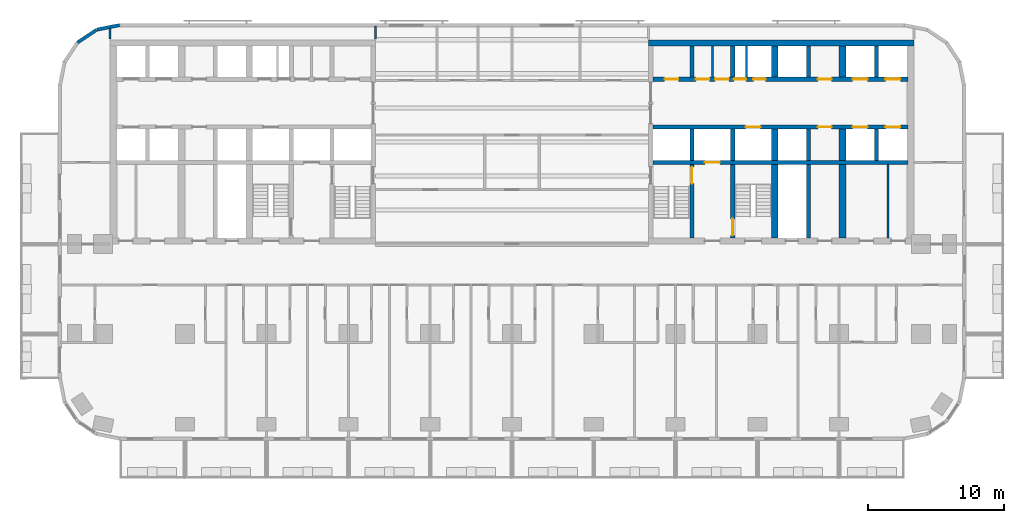
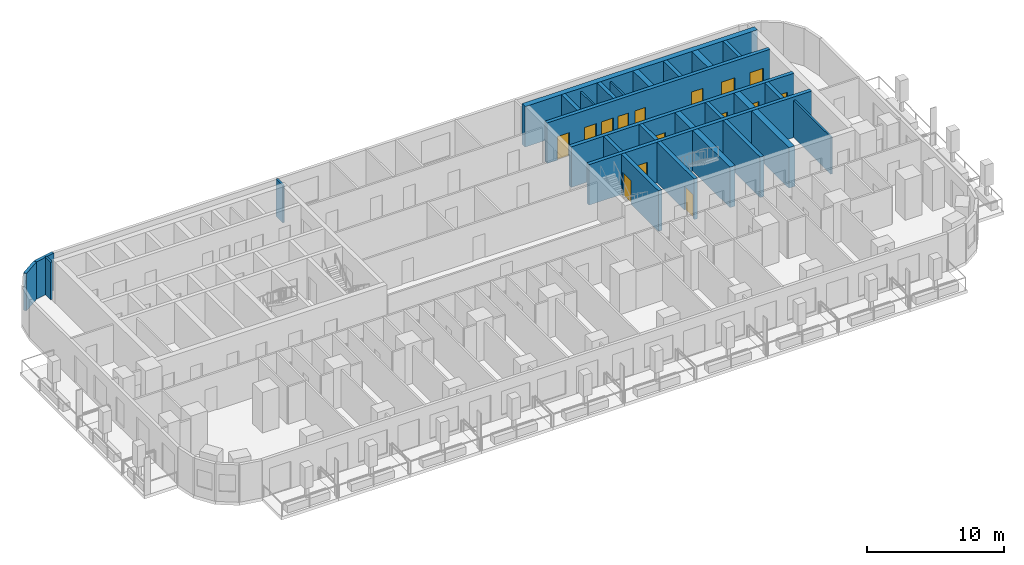
# One storey, part 7 of 14: 28 walls, 15 doors, 15 openings.
"""IFC4 building model written with IfcOpenShell, lengths in metres."""

from ifc_helpers import new_model, si_unit, direction, frame, frame_2d, origin, place, context, subcontext, project, spatial, rectangle, extrude, material, layer, layer_set, type_object, element, fill, save


model = new_model("IFC4")

# Units and contexts
model_context = context("Model", 3, precision=1e-05, world=origin(), true_north=direction((0.0, 1.0)))
body_context = subcontext(model_context, "Body", "Model", "MODEL_VIEW")
ifc_project = project(units=[si_unit("LENGTHUNIT", "METRE"), si_unit("AREAUNIT", "SQUARE_METRE"), si_unit("VOLUMEUNIT", "CUBIC_METRE"), si_unit("PLANEANGLEUNIT", "RADIAN"), si_unit("MASSUNIT", "GRAM", prefix="KILO")], contexts=[model_context])

# Site, building, storey
site_placement = place(None, origin())
site = spatial("IfcSite", under=ifc_project, at=site_placement, CompositionType="ELEMENT")
building_placement = place(site_placement, origin())
building = spatial("IfcBuilding", under=site, at=building_placement, Name="Torana Hotel and Residences", CompositionType="ELEMENT")
storey_placement = place(building_placement, frame((0.0, 0.0, 38.39990234375)))
storey = spatial("IfcBuildingStorey", under=building, at=storey_placement, Name="L08", CompositionType="ELEMENT", Elevation=38.39990234375)

# Wall, openings, doors
ifc_material_1 = material(Name="Concrete C80/95", Category="concrete")
ifc_layer_1 = layer(ifc_material_1, 0.300048828125)
ifc_layer_set_1 = layer_set([ifc_layer_1], Name="CORE WALL 300 C80/95")
wall_type_1 = type_object("IfcWallType", Name="CORE WALL 300 C80/95", PredefinedType="SHEAR", material=ifc_layer_set_1)
wall_1_placement = place(storey_placement, frame((10.35009765625, -2.89990234375, 0.0), z_axis=(0.0, 0.0, 1.0), x_axis=(1.0, 0.0, 0.0)))
wall_1 = element("IfcWall", 1, at=wall_1_placement, inside=storey, type_object=wall_type_1, Name="Core wall E row-N", PredefinedType="SHEAR", context=body_context, shape_type="SweptSolid", body=[
    extrude(rectangle(XDim=18.699951171875, YDim=0.300048828125, at=frame_2d((9.35009765625, 0.0))), origin(), (0.0, 0.0, 1.0), 3.60009765625),
])
opening_1_placement = place(wall_1_placement, frame((14.64990234375, 0.0, 0.0)))
opening_1 = element("IfcOpeningElement", 2, at=opening_1_placement, cuts=wall_1, Name="Opening LD", PredefinedType="OPENING", context=body_context, shape_type="SweptSolid", body=[
    extrude(rectangle(XDim=1.10009765625, YDim=2.10009765625, at=frame_2d((0.550048828125, 1.050048828125))), frame((0.0, 0.159912109375, 0.0), z_axis=(0.0, -1.0, 0.0), x_axis=(1.0, 0.0, 0.0)), (0.0, 0.0, 1.0), 0.320068359375),
])
opening_2_placement = place(wall_1_placement, frame((17.050048828125, 0.0, 0.0)))
opening_2 = element("IfcOpeningElement", 3, at=opening_2_placement, cuts=wall_1, Name="Opening LD", PredefinedType="OPENING", context=body_context, shape_type="SweptSolid", body=[
    extrude(rectangle(XDim=1.10009765625, YDim=2.10009765625, at=frame_2d((0.550048828125, 1.050048828125))), frame((0.0, 0.159912109375, 0.0), z_axis=(0.0, -1.0, 0.0), x_axis=(1.0, 0.0, 0.0)), (0.0, 0.0, 1.0), 0.320068359375),
])
opening_3_placement = place(wall_1_placement, frame((5.9375, 0.0, 0.0)))
opening_3 = element("IfcOpeningElement", 4, at=opening_3_placement, cuts=wall_1, Name="Opening L08-28", PredefinedType="OPENING", context=body_context, shape_type="SweptSolid", body=[
    extrude(rectangle(XDim=0.89990234375, YDim=2.10009765625, at=frame_2d((0.449951171875, 1.050048828125))), frame((0.0, 0.159912109375, 0.0), z_axis=(0.0, -1.0, 0.0), x_axis=(1.0, 0.0, 0.0)), (0.0, 0.0, 1.0), 0.320068359375),
])
opening_4_placement = place(wall_1_placement, frame((7.362548828125, 0.0, 0.0)))
opening_4 = element("IfcOpeningElement", 5, at=opening_4_placement, cuts=wall_1, Name="Opening L08-29", PredefinedType="OPENING", context=body_context, shape_type="SweptSolid", body=[
    extrude(rectangle(XDim=0.89990234375, YDim=2.10009765625, at=frame_2d((0.449951171875, 1.050048828125))), frame((0.0, 0.159912109375, 0.0), z_axis=(0.0, -1.0, 0.0), x_axis=(1.0, 0.0, 0.0)), (0.0, 0.0, 1.0), 0.320068359375),
])
opening_5_placement = place(wall_1_placement, frame((0.85009765625, 0.0, 0.0)))
opening_5 = element("IfcOpeningElement", 6, at=opening_5_placement, cuts=wall_1, Name="Opening L08-30", PredefinedType="OPENING", context=body_context, shape_type="SweptSolid", body=[
    extrude(rectangle(XDim=1.0, YDim=2.10009765625, at=frame_2d((0.5, 1.050048828125))), frame((0.0, 0.159912109375, 0.0), z_axis=(0.0, -1.0, 0.0), x_axis=(1.0, 0.0, 0.0)), (0.0, 0.0, 1.0), 0.320068359375),
])
opening_6_placement = place(wall_1_placement, frame((3.137451171875, 0.0, 0.0)))
opening_6 = element("IfcOpeningElement", 7, at=opening_6_placement, cuts=wall_1, Name="Opening L08-31", PredefinedType="OPENING", context=body_context, shape_type="SweptSolid", body=[
    extrude(rectangle(XDim=1.0, YDim=2.10009765625, at=frame_2d((0.5, 1.050048828125))), frame((0.0, 0.159912109375, 0.0), z_axis=(0.0, -1.0, 0.0), x_axis=(1.0, 0.0, 0.0)), (0.0, 0.0, 1.0), 0.320068359375),
])
opening_7_placement = place(wall_1_placement, frame((4.5625, 0.0, 0.0)))
opening_7 = element("IfcOpeningElement", 8, at=opening_7_placement, cuts=wall_1, Name="Opening L08-32", PredefinedType="OPENING", context=body_context, shape_type="SweptSolid", body=[
    extrude(rectangle(XDim=1.0, YDim=2.10009765625, at=frame_2d((0.5, 1.050048828125))), frame((0.0, 0.159912109375, 0.0), z_axis=(0.0, -1.0, 0.0), x_axis=(1.0, 0.0, 0.0)), (0.0, 0.0, 1.0), 0.320068359375),
])
opening_8_placement = place(wall_1_placement, frame((12.10009765625, 0.0, 0.0)))
opening_8 = element("IfcOpeningElement", 9, at=opening_8_placement, cuts=wall_1, Name="Opening L08-33", PredefinedType="OPENING", context=body_context, shape_type="SweptSolid", body=[
    extrude(rectangle(XDim=1.0, YDim=2.10009765625, at=frame_2d((0.5, 1.050048828125))), frame((0.0, 0.159912109375, 0.0), z_axis=(0.0, -1.0, 0.0), x_axis=(1.0, 0.0, 0.0)), (0.0, 0.0, 1.0), 0.320068359375),
])
ifc_material_2 = material(Name="Steel S235", Category="steel")
door_type_1 = type_object("IfcDoorType", Name="CORE ROOM FIRE DOOR D14 1000x2100", OperationType="SINGLE_SWING_LEFT", PredefinedType="DOOR", material=ifc_material_2)
door_1_placement = place(opening_5_placement, origin())
door_1 = element("IfcDoor", 10, at=door_1_placement, inside=storey, type_object=door_type_1, Name="N0 door L08", OperationType="SINGLE_SWING_RIGHT", OverallHeight=2.10009765625, OverallWidth=1.0, PredefinedType="DOOR", context=body_context, shape_type="SweptSolid", body=[
    extrude(rectangle(XDim=1.0, YDim=2.10009765625, at=frame_2d((0.5, 1.050048828125))), frame((0.0, 0.02490234375, 0.0), z_axis=(0.0, -1.0, 0.0), x_axis=(1.0, 0.0, 0.0)), (0.0, 0.0, 1.0), 0.050048828125),
])
fill(opening_5, door_1)
door_2_placement = place(opening_6_placement, origin())
door_2 = element("IfcDoor", 11, at=door_2_placement, inside=storey, type_object=door_type_1, Name="N1A door L08", OperationType="SINGLE_SWING_RIGHT", OverallHeight=2.10009765625, OverallWidth=1.0, PredefinedType="DOOR", context=body_context, shape_type="SweptSolid", body=[
    extrude(rectangle(XDim=1.0, YDim=2.10009765625, at=frame_2d((0.5, 1.050048828125))), frame((0.0, 0.02490234375, 0.0), z_axis=(0.0, -1.0, 0.0), x_axis=(1.0, 0.0, 0.0)), (0.0, 0.0, 1.0), 0.050048828125),
])
fill(opening_6, door_2)
door_3_placement = place(opening_7_placement, origin())
door_3 = element("IfcDoor", 12, at=door_3_placement, inside=storey, type_object=door_type_1, Name="N1B door L08", OperationType="SINGLE_SWING_RIGHT", OverallHeight=2.10009765625, OverallWidth=1.0, PredefinedType="DOOR", context=body_context, shape_type="SweptSolid", body=[
    extrude(rectangle(XDim=1.0, YDim=2.10009765625, at=frame_2d((0.5, 1.050048828125))), frame((0.0, 0.02490234375, 0.0), z_axis=(0.0, -1.0, 0.0), x_axis=(1.0, 0.0, 0.0)), (0.0, 0.0, 1.0), 0.050048828125),
])
fill(opening_7, door_3)
door_4_placement = place(opening_8_placement, origin())
door_4 = element("IfcDoor", 13, at=door_4_placement, inside=storey, type_object=door_type_1, Name="Free-M3 door L08", OperationType="SINGLE_SWING_RIGHT", OverallHeight=2.10009765625, OverallWidth=1.0, PredefinedType="DOOR", context=body_context, shape_type="SweptSolid", body=[
    extrude(rectangle(XDim=1.0, YDim=2.10009765625, at=frame_2d((0.5, 1.050048828125))), frame((0.0, 0.02490234375, 0.0), z_axis=(0.0, -1.0, 0.0), x_axis=(1.0, 0.0, 0.0)), (0.0, 0.0, 1.0), 0.050048828125),
])
fill(opening_8, door_4)
ifc_material_3 = material(Name="Stainless steel 316", Category="steel")
door_type_2 = type_object("IfcDoorType", Name="LIFT LANDING DOOR LD 1100x2100", OperationType="DOUBLE_DOOR_SLIDING", PredefinedType="USERDEFINED", material=ifc_material_3)
door_5_placement = place(opening_1_placement, origin())
door_5 = element("IfcDoor", 14, at=door_5_placement, inside=storey, type_object=door_type_2, Name="Lift landing door L5 L08", ObjectType="LIFT LANDING DOOR", OperationType="DOUBLE_DOOR_SLIDING", OverallHeight=2.10009765625, OverallWidth=1.10009765625, PredefinedType="USERDEFINED", context=body_context, shape_type="SweptSolid", body=[
    extrude(rectangle(XDim=1.10009765625, YDim=2.10009765625, at=frame_2d((0.550048828125, 1.050048828125))), frame((0.0, 0.02490234375, 0.0), z_axis=(0.0, -1.0, 0.0), x_axis=(1.0, 0.0, 0.0)), (0.0, 0.0, 1.0), 0.050048828125),
])
fill(opening_1, door_5)
door_6_placement = place(opening_2_placement, origin())
door_6 = element("IfcDoor", 15, at=door_6_placement, inside=storey, type_object=door_type_2, Name="Lift landing door L6 L08", ObjectType="LIFT LANDING DOOR", OperationType="DOUBLE_DOOR_SLIDING", OverallHeight=2.10009765625, OverallWidth=1.10009765625, PredefinedType="USERDEFINED", context=body_context, shape_type="SweptSolid", body=[
    extrude(rectangle(XDim=1.10009765625, YDim=2.10009765625, at=frame_2d((0.550048828125, 1.050048828125))), frame((0.0, 0.02490234375, 0.0), z_axis=(0.0, -1.0, 0.0), x_axis=(1.0, 0.0, 0.0)), (0.0, 0.0, 1.0), 0.050048828125),
])
fill(opening_2, door_6)
ifc_material_4 = material(Name="Steel S235", Category="steel")
door_type_3 = type_object("IfcDoorType", Name="RISER ACCESS DOOR D5 900x2100", OperationType="SINGLE_SWING_LEFT", PredefinedType="DOOR", material=ifc_material_4)
door_7_placement = place(opening_3_placement, origin())
door_7 = element("IfcDoor", 16, at=door_7_placement, inside=storey, type_object=door_type_3, Name="N2A door L08", OperationType="SINGLE_SWING_RIGHT", OverallHeight=2.10009765625, OverallWidth=0.89990234375, PredefinedType="DOOR", context=body_context, shape_type="SweptSolid", body=[
    extrude(rectangle(XDim=0.89990234375, YDim=2.10009765625, at=frame_2d((0.449951171875, 1.050048828125))), frame((0.0, 0.02490234375, 0.0), z_axis=(0.0, -1.0, 0.0), x_axis=(1.0, 0.0, 0.0)), (0.0, 0.0, 1.0), 0.050048828125),
])
fill(opening_3, door_7)
door_8_placement = place(opening_4_placement, origin())
door_8 = element("IfcDoor", 17, at=door_8_placement, inside=storey, type_object=door_type_3, Name="N2B door L08", OperationType="SINGLE_SWING_RIGHT", OverallHeight=2.10009765625, OverallWidth=0.89990234375, PredefinedType="DOOR", context=body_context, shape_type="SweptSolid", body=[
    extrude(rectangle(XDim=0.89990234375, YDim=2.10009765625, at=frame_2d((0.449951171875, 1.050048828125))), frame((0.0, 0.02490234375, 0.0), z_axis=(0.0, -1.0, 0.0), x_axis=(1.0, 0.0, 0.0)), (0.0, 0.0, 1.0), 0.050048828125),
])
fill(opening_4, door_8)

wall_2_placement = place(storey_placement, frame((10.35009765625, -6.39990234375, 0.0), z_axis=(0.0, 0.0, 1.0), x_axis=(1.0, 0.0, 0.0)))
wall_2 = element("IfcWall", 18, at=wall_2_placement, inside=storey, type_object=wall_type_1, Name="Core wall E row-S", PredefinedType="SHEAR", context=body_context, shape_type="SweptSolid", body=[
    extrude(rectangle(XDim=18.699951171875, YDim=0.300048828125, at=frame_2d((9.35009765625, 0.0))), origin(), (0.0, 0.0, 1.0), 3.60009765625),
])
opening_9_placement = place(wall_2_placement, frame((14.64990234375, 0.0, 0.0)))
opening_9 = element("IfcOpeningElement", 19, at=opening_9_placement, cuts=wall_2, Name="Opening LD", PredefinedType="OPENING", context=body_context, shape_type="SweptSolid", body=[
    extrude(rectangle(XDim=1.10009765625, YDim=2.10009765625, at=frame_2d((0.550048828125, 1.050048828125))), frame((0.0, 0.159912109375, 0.0), z_axis=(0.0, -1.0, 0.0), x_axis=(1.0, 0.0, 0.0)), (0.0, 0.0, 1.0), 0.320068359375),
])
opening_10_placement = place(wall_2_placement, frame((17.050048828125, 0.0, 0.0)))
opening_10 = element("IfcOpeningElement", 20, at=opening_10_placement, cuts=wall_2, Name="Opening LD", PredefinedType="OPENING", context=body_context, shape_type="SweptSolid", body=[
    extrude(rectangle(XDim=1.10009765625, YDim=2.10009765625, at=frame_2d((0.550048828125, 1.050048828125))), frame((0.0, 0.159912109375, 0.0), z_axis=(0.0, -1.0, 0.0), x_axis=(1.0, 0.0, 0.0)), (0.0, 0.0, 1.0), 0.320068359375),
])
opening_11_placement = place(wall_2_placement, frame((6.800048828125, 0.0, 0.0)))
opening_11 = element("IfcOpeningElement", 21, at=opening_11_placement, cuts=wall_2, Name="Opening LD", PredefinedType="OPENING", context=body_context, shape_type="SweptSolid", body=[
    extrude(rectangle(XDim=1.10009765625, YDim=2.10009765625, at=frame_2d((0.550048828125, 1.050048828125))), frame((0.0, 0.159912109375, 0.0), z_axis=(0.0, -1.0, 0.0), x_axis=(1.0, 0.0, 0.0)), (0.0, 0.0, 1.0), 0.320068359375),
])
opening_12_placement = place(wall_2_placement, frame((12.10009765625, 0.0, 0.0)))
opening_12 = element("IfcOpeningElement", 22, at=opening_12_placement, cuts=wall_2, Name="Opening L08-34", PredefinedType="OPENING", context=body_context, shape_type="SweptSolid", body=[
    extrude(rectangle(XDim=1.0, YDim=2.10009765625, at=frame_2d((0.5, 1.050048828125))), frame((0.0, 0.159912109375, 0.0), z_axis=(0.0, -1.0, 0.0), x_axis=(1.0, 0.0, 0.0)), (0.0, 0.0, 1.0), 0.320068359375),
])
door_9_placement = place(opening_12_placement, frame((0.5, 0.0, 0.0), z_axis=(0.0, 0.0, 1.0), x_axis=(-1.0, 0.0, 0.0)))
door_9 = element("IfcDoor", 23, at=door_9_placement, inside=storey, type_object=door_type_1, Name="Free-M4 door L08", OperationType="SINGLE_SWING_LEFT", OverallHeight=2.10009765625, OverallWidth=1.0, PredefinedType="DOOR", context=body_context, shape_type="SweptSolid", body=[
    extrude(rectangle(XDim=1.0, YDim=2.10009765625, at=frame_2d((0.0, 1.050048828125))), frame((0.0, -0.02490234375, 0.0), z_axis=(0.0, 1.0, 0.0), x_axis=(-1.0, 0.0, 0.0)), (0.0, 0.0, 1.0), 0.050048828125),
])
fill(opening_12, door_9)
door_10_placement = place(opening_9_placement, origin())
door_10 = element("IfcDoor", 24, at=door_10_placement, inside=storey, type_object=door_type_2, Name="Lift landing door L7 L08", ObjectType="LIFT LANDING DOOR", OperationType="DOUBLE_DOOR_SLIDING", OverallHeight=2.10009765625, OverallWidth=1.10009765625, PredefinedType="USERDEFINED", context=body_context, shape_type="SweptSolid", body=[
    extrude(rectangle(XDim=1.10009765625, YDim=2.10009765625, at=frame_2d((0.550048828125, 1.050048828125))), frame((0.0, 0.02490234375, 0.0), z_axis=(0.0, -1.0, 0.0), x_axis=(1.0, 0.0, 0.0)), (0.0, 0.0, 1.0), 0.050048828125),
])
fill(opening_9, door_10)
door_11_placement = place(opening_10_placement, origin())
door_11 = element("IfcDoor", 25, at=door_11_placement, inside=storey, type_object=door_type_2, Name="Lift landing door L8 L08", ObjectType="LIFT LANDING DOOR", OperationType="DOUBLE_DOOR_SLIDING", OverallHeight=2.10009765625, OverallWidth=1.10009765625, PredefinedType="USERDEFINED", context=body_context, shape_type="SweptSolid", body=[
    extrude(rectangle(XDim=1.10009765625, YDim=2.10009765625, at=frame_2d((0.550048828125, 1.050048828125))), frame((0.0, 0.02490234375, 0.0), z_axis=(0.0, -1.0, 0.0), x_axis=(1.0, 0.0, 0.0)), (0.0, 0.0, 1.0), 0.050048828125),
])
fill(opening_10, door_11)
door_12_placement = place(opening_11_placement, origin())
door_12 = element("IfcDoor", 26, at=door_12_placement, inside=storey, type_object=door_type_2, Name="Lift landing door SV2 L08", ObjectType="LIFT LANDING DOOR", OperationType="DOUBLE_DOOR_SLIDING", OverallHeight=2.10009765625, OverallWidth=1.10009765625, PredefinedType="USERDEFINED", context=body_context, shape_type="SweptSolid", body=[
    extrude(rectangle(XDim=1.10009765625, YDim=2.10009765625, at=frame_2d((0.550048828125, 1.050048828125))), frame((0.0, 0.02490234375, 0.0), z_axis=(0.0, -1.0, 0.0), x_axis=(1.0, 0.0, 0.0)), (0.0, 0.0, 1.0), 0.050048828125),
])
fill(opening_11, door_12)

# Wall, opening, door
wall_3_placement = place(storey_placement, frame((10.35009765625, -9.0, 0.0), z_axis=(0.0, 0.0, 1.0), x_axis=(1.0, 0.0, 0.0)))
wall_3 = element("IfcWall", 27, at=wall_3_placement, inside=storey, type_object=wall_type_1, Name="Core wall E band", PredefinedType="SHEAR", context=body_context, shape_type="SweptSolid", body=[
    extrude(rectangle(XDim=18.699951171875, YDim=0.300048828125, at=frame_2d((9.35009765625, 0.0))), origin(), (0.0, 0.0, 1.0), 3.60009765625),
])
opening_13_placement = place(wall_3_placement, frame((3.800048828125, 0.0, 0.0)))
opening_13 = element("IfcOpeningElement", 28, at=opening_13_placement, cuts=wall_3, Name="Opening LD", PredefinedType="OPENING", context=body_context, shape_type="SweptSolid", body=[
    extrude(rectangle(XDim=1.10009765625, YDim=2.10009765625, at=frame_2d((0.550048828125, 1.050048828125))), frame((0.0, 0.159912109375, 0.0), z_axis=(0.0, -1.0, 0.0), x_axis=(1.0, 0.0, 0.0)), (0.0, 0.0, 1.0), 0.320068359375),
])
door_13_placement = place(opening_13_placement, origin())
door_13 = element("IfcDoor", 29, at=door_13_placement, inside=storey, type_object=door_type_2, Name="Lift landing door FF2 L08", ObjectType="LIFT LANDING DOOR", OperationType="DOUBLE_DOOR_SLIDING", OverallHeight=2.10009765625, OverallWidth=1.10009765625, PredefinedType="USERDEFINED", context=body_context, shape_type="SweptSolid", body=[
    extrude(rectangle(XDim=1.10009765625, YDim=2.10009765625, at=frame_2d((0.550048828125, 1.050048828125))), frame((0.0, 0.02490234375, 0.0), z_axis=(0.0, -1.0, 0.0), x_axis=(1.0, 0.0, 0.0)), (0.0, 0.0, 1.0), 0.050048828125),
])
fill(opening_13, door_13)

# Walls
for number, where, z_axis, x_axis, name in (
    (30, (13.199951171875, -2.75, 0.0), (0.0, 0.0, 1.0), (0.0, 1.0, 0.0), "Core wall E x3.05-N"),
    (31, (13.199951171875, -8.85009765625, 0.0), (0.0, 0.0, 1.0), (0.0, 1.0, 0.0), "Core wall E x3.05-S"),
):
    element("IfcWall", number, at=place(storey_placement, frame(where, z_axis=z_axis, x_axis=x_axis)), inside=storey, type_object=wall_type_1, Name=name, PredefinedType="SHEAR", context=body_context, shape_type="SweptSolid", body=[
        extrude(rectangle(XDim=2.300048828125, YDim=0.300048828125, at=frame_2d((1.14990234375, 0.0))), origin(), (0.0, 0.0, 1.0), 3.60009765625),
    ])

# Wall, opening, door
wall_4_placement = place(storey_placement, frame((13.199951171875, -14.550048828125, 0.0), z_axis=(0.0, 0.0, 1.0), x_axis=(0.0, 1.0, 0.0)))
wall_4 = element("IfcWall", 32, at=wall_4_placement, inside=storey, type_object=wall_type_1, Name="Core wall E x3.05-band", PredefinedType="SHEAR", context=body_context, shape_type="SweptSolid", body=[
    extrude(rectangle(XDim=5.400146484375, YDim=0.300048828125, at=frame_2d((2.7001953125, 0.0))), origin(), (0.0, 0.0, 1.0), 3.60009765625),
])
opening_14_placement = place(wall_4_placement, frame((4.0, 0.0, 0.0)))
opening_14 = element("IfcOpeningElement", 33, at=opening_14_placement, cuts=wall_4, Name="Opening L08-35", PredefinedType="OPENING", context=body_context, shape_type="SweptSolid", body=[
    extrude(rectangle(XDim=1.199951171875, YDim=2.10009765625, at=frame_2d((0.60009765625, 1.050048828125))), frame((0.0, 0.159912109375, 0.0), z_axis=(0.0, -1.0, 0.0), x_axis=(1.0, 0.0, 0.0)), (0.0, 0.0, 1.0), 0.320068359375),
])
ifc_material_5 = material(Name="Steel S235", Category="steel")
door_type_4 = type_object("IfcDoorType", Name="STAIR FIRE DOOR D3 1200x2100", OperationType="SINGLE_SWING_LEFT", PredefinedType="DOOR", material=ifc_material_5)
door_14_placement = place(opening_14_placement, origin())
door_14 = element("IfcDoor", 34, at=door_14_placement, inside=storey, type_object=door_type_4, Name="Stair-A-lobby door L08", OperationType="SINGLE_SWING_LEFT", OverallHeight=2.10009765625, OverallWidth=1.199951171875, PredefinedType="DOOR", context=body_context, shape_type="SweptSolid", body=[
    extrude(rectangle(XDim=1.199951171875, YDim=2.10009765625, at=frame_2d((0.60009765625, 1.050048828125))), frame((0.0, 0.02490234375, 0.0), z_axis=(0.0, -1.0, 0.0), x_axis=(1.0, 0.0, 0.0)), (0.0, 0.0, 1.0), 0.050048828125),
])
fill(opening_14, door_14)

# Walls
for number, where, z_axis, x_axis, name in (
    (35, (16.199951171875, -2.75, 0.0), (0.0, 0.0, 1.0), (0.0, 1.0, 0.0), "Core wall E x6.05-N"),
    (36, (16.199951171875, -8.85009765625, 0.0), (0.0, 0.0, 1.0), (0.0, 1.0, 0.0), "Core wall E x6.05-S"),
):
    element("IfcWall", number, at=place(storey_placement, frame(where, z_axis=z_axis, x_axis=x_axis)), inside=storey, type_object=wall_type_1, Name=name, PredefinedType="SHEAR", context=body_context, shape_type="SweptSolid", body=[
        extrude(rectangle(XDim=2.300048828125, YDim=0.300048828125, at=frame_2d((1.14990234375, 0.0))), origin(), (0.0, 0.0, 1.0), 3.60009765625),
    ])

# Wall, opening, door
wall_5_placement = place(storey_placement, frame((16.199951171875, -14.550048828125, 0.0), z_axis=(0.0, 0.0, 1.0), x_axis=(0.0, 1.0, 0.0)))
wall_5 = element("IfcWall", 37, at=wall_5_placement, inside=storey, type_object=wall_type_1, Name="Core wall E x6.05-band", PredefinedType="SHEAR", context=body_context, shape_type="SweptSolid", body=[
    extrude(rectangle(XDim=5.400146484375, YDim=0.300048828125, at=frame_2d((2.7001953125, 0.0))), origin(), (0.0, 0.0, 1.0), 3.60009765625),
])
opening_15_placement = place(wall_5_placement, frame((0.199951171875, 0.0, 0.0)))
opening_15 = element("IfcOpeningElement", 38, at=opening_15_placement, cuts=wall_5, Name="Opening L08-36", PredefinedType="OPENING", context=body_context, shape_type="SweptSolid", body=[
    extrude(rectangle(XDim=1.199951171875, YDim=2.10009765625, at=frame_2d((0.60009765625, 1.050048828125))), frame((0.0, 0.159912109375, 0.0), z_axis=(0.0, -1.0, 0.0), x_axis=(1.0, 0.0, 0.0)), (0.0, 0.0, 1.0), 0.320068359375),
])
door_15_placement = place(opening_15_placement, frame((0.60009765625, 0.0, 0.0), z_axis=(0.0, 0.0, 1.0), x_axis=(-1.0, 0.0, 0.0)))
door_15 = element("IfcDoor", 39, at=door_15_placement, inside=storey, type_object=door_type_4, Name="Stair-B-lobby door L08", OperationType="SINGLE_SWING_LEFT", OverallHeight=2.10009765625, OverallWidth=1.199951171875, PredefinedType="DOOR", context=body_context, shape_type="SweptSolid", body=[
    extrude(rectangle(XDim=1.199951171875, YDim=2.10009765625, at=frame_2d((0.0, 1.050048828125))), frame((0.0, -0.02490234375, 0.0), z_axis=(0.0, 1.0, 0.0), x_axis=(-1.0, 0.0, 0.0)), (0.0, 0.0, 1.0), 0.050048828125),
])
fill(opening_15, door_15)

# Walls
for number, where, z_axis, x_axis, name in (
    (40, (21.75, -2.75, 0.0), (0.0, 0.0, 1.0), (0.0, 1.0, 0.0), "Core wall E mm-N"),
    (41, (21.75, -8.85009765625, 0.0), (0.0, 0.0, 1.0), (0.0, 1.0, 0.0), "Core wall E mm-S"),
):
    element("IfcWall", number, at=place(storey_placement, frame(where, z_axis=z_axis, x_axis=x_axis)), inside=storey, type_object=wall_type_1, Name=name, PredefinedType="SHEAR", context=body_context, shape_type="SweptSolid", body=[
        extrude(rectangle(XDim=2.300048828125, YDim=0.300048828125, at=frame_2d((1.14990234375, 0.0))), origin(), (0.0, 0.0, 1.0), 3.60009765625),
    ])
wall_6_placement = place(storey_placement, frame((21.75, -14.550048828125, 0.0), z_axis=(0.0, 0.0, 1.0), x_axis=(0.0, 1.0, 0.0)))
element("IfcWall", 42, at=wall_6_placement, inside=storey, type_object=wall_type_1, Name="Core wall E mm-band", PredefinedType="SHEAR", context=body_context, shape_type="SweptSolid", body=[
    extrude(rectangle(XDim=5.400146484375, YDim=0.300048828125, at=frame_2d((2.7001953125, 0.0))), origin(), (0.0, 0.0, 1.0), 3.60009765625),
])
for number, where, z_axis, x_axis, name in (
    (43, (26.75, -2.75, 0.0), (0.0, 0.0, 1.0), (0.0, 1.0, 0.0), "Core wall E ll-N"),
    (44, (26.75, -8.85009765625, 0.0), (0.0, 0.0, 1.0), (0.0, 1.0, 0.0), "Core wall E ll-S"),
):
    element("IfcWall", number, at=place(storey_placement, frame(where, z_axis=z_axis, x_axis=x_axis)), inside=storey, type_object=wall_type_1, Name=name, PredefinedType="SHEAR", context=body_context, shape_type="SweptSolid", body=[
        extrude(rectangle(XDim=2.300048828125, YDim=0.300048828125, at=frame_2d((1.14990234375, 0.0))), origin(), (0.0, 0.0, 1.0), 3.60009765625),
    ])
ifc_material_6 = material(Name="Concrete C80/95", Category="concrete")
ifc_layer_2 = layer(ifc_material_6, 0.449951171875)
ifc_layer_set_2 = layer_set([ifc_layer_2], Name="CORE WALL 450 C80/95")
wall_type_2 = type_object("IfcWallType", Name="CORE WALL 450 C80/95", PredefinedType="SHEAR", material=ifc_layer_set_2)
wall_7_placement = place(storey_placement, frame((10.0, -0.22509765625, 0.0), z_axis=(0.0, 0.0, 1.0), x_axis=(1.0, 0.0, 0.0)))
element("IfcWall", 45, at=wall_7_placement, inside=storey, type_object=wall_type_2, Name="Core wall E rear", PredefinedType="SHEAR", context=body_context, shape_type="SweptSolid", body=[
    extrude(rectangle(XDim=19.5, YDim=0.449951171875, at=frame_2d((9.75, 0.0))), origin(), (0.0, 0.0, 1.0), 3.60009765625),
])
for number, where, z_axis, x_axis, name in (
    (46, (19.27490234375, -2.75, 0.0), (0.0, 0.0, 1.0), (0.0, 1.0, 0.0), "Core wall E hm-N"),
    (47, (19.27490234375, -8.85009765625, 0.0), (0.0, 0.0, 1.0), (0.0, 1.0, 0.0), "Core wall E hm-S"),
):
    element("IfcWall", number, at=place(storey_placement, frame(where, z_axis=z_axis, x_axis=x_axis)), inside=storey, type_object=wall_type_2, Name=name, PredefinedType="SHEAR", context=body_context, shape_type="SweptSolid", body=[
        extrude(rectangle(XDim=2.300048828125, YDim=0.449951171875, at=frame_2d((1.14990234375, 0.0))), origin(), (0.0, 0.0, 1.0), 3.60009765625),
    ])
wall_8_placement = place(storey_placement, frame((19.27490234375, -14.550048828125, 0.0), z_axis=(0.0, 0.0, 1.0), x_axis=(0.0, 1.0, 0.0)))
element("IfcWall", 48, at=wall_8_placement, inside=storey, type_object=wall_type_2, Name="Core wall E hm-band", PredefinedType="SHEAR", context=body_context, shape_type="SweptSolid", body=[
    extrude(rectangle(XDim=5.400146484375, YDim=0.449951171875, at=frame_2d((2.7001953125, 0.0))), origin(), (0.0, 0.0, 1.0), 3.60009765625),
])
ifc_material_7 = material(Name="Concrete C80/95", Category="concrete")
ifc_layer_3 = layer(ifc_material_7, 0.5)
ifc_layer_set_3 = layer_set([ifc_layer_3], Name="CORE WALL 500 C80/95")
wall_type_3 = type_object("IfcWallType", Name="CORE WALL 500 C80/95", PredefinedType="SHEAR", material=ifc_layer_set_3)
for number, where, z_axis, x_axis, name in (
    (49, (24.25, -2.75, 0.0), (0.0, 0.0, 1.0), (0.0, 1.0, 0.0), "Core wall E ml-N"),
    (50, (24.25, -8.85009765625, 0.0), (0.0, 0.0, 1.0), (0.0, 1.0, 0.0), "Core wall E ml-S"),
):
    element("IfcWall", number, at=place(storey_placement, frame(where, z_axis=z_axis, x_axis=x_axis)), inside=storey, type_object=wall_type_3, Name=name, PredefinedType="SHEAR", context=body_context, shape_type="SweptSolid", body=[
        extrude(rectangle(XDim=2.300048828125, YDim=0.5, at=frame_2d((1.14990234375, 0.0))), origin(), (0.0, 0.0, 1.0), 3.60009765625),
    ])
wall_9_placement = place(storey_placement, frame((24.25, -14.550048828125, 0.0), z_axis=(0.0, 0.0, 1.0), x_axis=(0.0, 1.0, 0.0)))
element("IfcWall", 51, at=wall_9_placement, inside=storey, type_object=wall_type_3, Name="Core wall E ml-band", PredefinedType="SHEAR", context=body_context, shape_type="SweptSolid", body=[
    extrude(rectangle(XDim=5.400146484375, YDim=0.5, at=frame_2d((2.7001953125, 0.0))), origin(), (0.0, 0.0, 1.0), 3.60009765625),
])
ifc_material_8 = material(Name="Black aluminium composite panel", Category="aluminium")
ifc_layer_4 = layer(ifc_material_8, 0.00390625, Name="Cladding", Category="cladding")
ifc_material_9 = material(Name="Ventilated air cavity")
ifc_layer_5 = layer(ifc_material_9, 0.0400390625, Name="Ventilated cavity", Category="cavity")
ifc_material_10 = material(Name="Mineral wool insulation")
ifc_layer_6 = layer(ifc_material_10, 0.090087890625, Name="Insulation", Category="insulation")
ifc_material_11 = material(Name="Steel S280GD", Category="steel")
ifc_layer_7 = layer(ifc_material_11, 0.092041015625, Name="Steel stud frame", Category="structure")
ifc_material_12 = material(Name="Fire rated plasterboard")
ifc_layer_8 = layer(ifc_material_12, 0.011962890625, Name="Inner board", Category="finish")
ifc_layer_9 = layer(ifc_material_12, 0.011962890625, Name="Second board", Category="finish")
ifc_layer_set_4 = layer_set([ifc_layer_4, ifc_layer_5, ifc_layer_6, ifc_layer_7, ifc_layer_8, ifc_layer_9], Name="EW1 EXTERNAL WALL BLACK METAL CLAD 250")
wall_type_4 = type_object("IfcWallType", Name="EW1 EXTERNAL WALL BLACK METAL CLAD 250", PredefinedType="SOLIDWALL", material=ifc_layer_set_4)
wall_10_placement = place(storey_placement, frame((-28.7998046875, 1.072509765625, 0.0), z_axis=(0.0, 0.0, 1.0), x_axis=(-0.980803419081, -0.194999110559, 0.0)))
element("IfcWall", 52, at=wall_10_placement, inside=storey, type_object=wall_type_4, Name="External wall L08 e0.5", PredefinedType="SOLIDWALL", context=body_context, shape_type="SweptSolid", body=[
    extrude(rectangle(XDim=1.681396484375, YDim=0.25, at=frame_2d((0.8408203125, 0.0))), origin(), (0.0, 0.0, 1.0), 3.320068359375),
])
wall_11_placement = place(storey_placement, frame((-30.493896484375, 0.725830078125, 0.0), z_axis=(0.0, 0.0, 1.0), x_axis=(-0.831482937015, -0.55555029066, 0.0)))
element("IfcWall", 53, at=wall_11_placement, inside=storey, type_object=wall_type_4, Name="External wall L08 e0.6", PredefinedType="SOLIDWALL", context=body_context, shape_type="SweptSolid", body=[
    extrude(rectangle(XDim=1.65625, YDim=0.25, at=frame_2d((0.828125, 0.0))), origin(), (0.0, 0.0, 1.0), 3.320068359375),
])
ifc_material_13 = material(Name="Gypsum plaster")
ifc_layer_10 = layer(ifc_material_13, 0.014892578125, Name="Plaster", Category="finish")
ifc_material_14 = material(Name="Concrete blockwork", Category="masonry")
ifc_layer_11 = layer(ifc_material_14, 0.1201171875, Name="Blockwork", Category="structure")
ifc_layer_12 = layer(ifc_material_13, 0.014892578125, Name="Plaster", Category="finish")
ifc_layer_set_5 = layer_set([ifc_layer_10, ifc_layer_11, ifc_layer_12], Name="FIRE PARTITION 150 BLOCKWORK")
wall_type_5 = type_object("IfcWallType", Name="FIRE PARTITION 150 BLOCKWORK", PredefinedType="PARTITIONING", material=ifc_layer_set_5)
for number, where, z_axis, x_axis, name in (
    (54, (17.199951171875, -2.75, 0.0), (0.0, 0.0, 1.0), (0.0, 1.0, 0.0), "Core partition L08"),
    (55, (14.699951171875, -2.75, 0.0), (0.0, 0.0, 1.0), (0.0, 1.0, 0.0), "Core partition L08"),
):
    element("IfcWall", number, at=place(storey_placement, frame(where, z_axis=z_axis, x_axis=x_axis)), inside=storey, type_object=wall_type_5, Name=name, PredefinedType="PARTITIONING", context=body_context, shape_type="SweptSolid", body=[
        extrude(rectangle(XDim=2.300048828125, YDim=0.14990234375, at=frame_2d((1.14990234375, 0.0))), origin(), (0.0, 0.0, 1.0), 3.300048828125),
    ])
wall_12_placement = place(storey_placement, frame((27.60009765625, -14.550048828125, 0.0), z_axis=(0.0, 0.0, 1.0), x_axis=(0.0, 1.0, 0.0)))
element("IfcWall", 56, at=wall_12_placement, inside=storey, type_object=wall_type_5, Name="Core partition L08", PredefinedType="PARTITIONING", context=body_context, shape_type="SweptSolid", body=[
    extrude(rectangle(XDim=5.400146484375, YDim=0.14990234375, at=frame_2d((2.7001953125, 0.0))), origin(), (0.0, 0.0, 1.0), 3.300048828125),
])
ifc_material_15 = material(Name="Gypsum plasterboard")
ifc_layer_13 = layer(ifc_material_15, 0.012451171875, Name="Plasterboard", Category="finish")
ifc_layer_14 = layer(ifc_material_15, 0.012451171875, Name="Plasterboard", Category="finish")
ifc_layer_15 = layer(ifc_material_11, 0.10009765625, Name="Steel studs with mineral wool", Category="insulation")
ifc_layer_16 = layer(ifc_material_15, 0.012451171875, Name="Plasterboard", Category="finish")
ifc_layer_17 = layer(ifc_material_15, 0.012451171875, Name="Plasterboard", Category="finish")
ifc_layer_set_6 = layer_set([ifc_layer_13, ifc_layer_14, ifc_layer_15, ifc_layer_16, ifc_layer_17], Name="PARTITION 150 PLASTERBOARD")
wall_type_6 = type_object("IfcWallType", Name="PARTITION 150 PLASTERBOARD", PredefinedType="PARTITIONING", material=ifc_layer_set_6)
wall_13_placement = place(storey_placement, frame((-10.0, 0.050048828125, 0.0), z_axis=(0.0, 0.0, 1.0), x_axis=(0.0, 1.0, 0.0)))
element("IfcWall", 57, at=wall_13_placement, inside=storey, type_object=wall_type_6, Name="Partition L08", PredefinedType="PARTITIONING", context=body_context, shape_type="SweptSolid", body=[
    extrude(rectangle(XDim=0.969970703125, YDim=0.14990234375, at=frame_2d((0.48486328125, 0.0))), origin(), (0.0, 0.0, 1.0), 3.320068359375),
])
wall_14_placement = place(storey_placement, frame((-29.5, 0.050048828125, 0.0), z_axis=(0.0, 0.0, 1.0), x_axis=(0.0, 1.0, 0.0)))
element("IfcWall", 58, at=wall_14_placement, inside=storey, type_object=wall_type_6, Name="Partition L08", PredefinedType="PARTITIONING", context=body_context, shape_type="SweptSolid", body=[
    extrude(rectangle(XDim=0.8271484375, YDim=0.14990234375, at=frame_2d((0.41357421875, 0.0))), origin(), (0.0, 0.0, 1.0), 3.320068359375),
])

save(model, "model.ifc")
